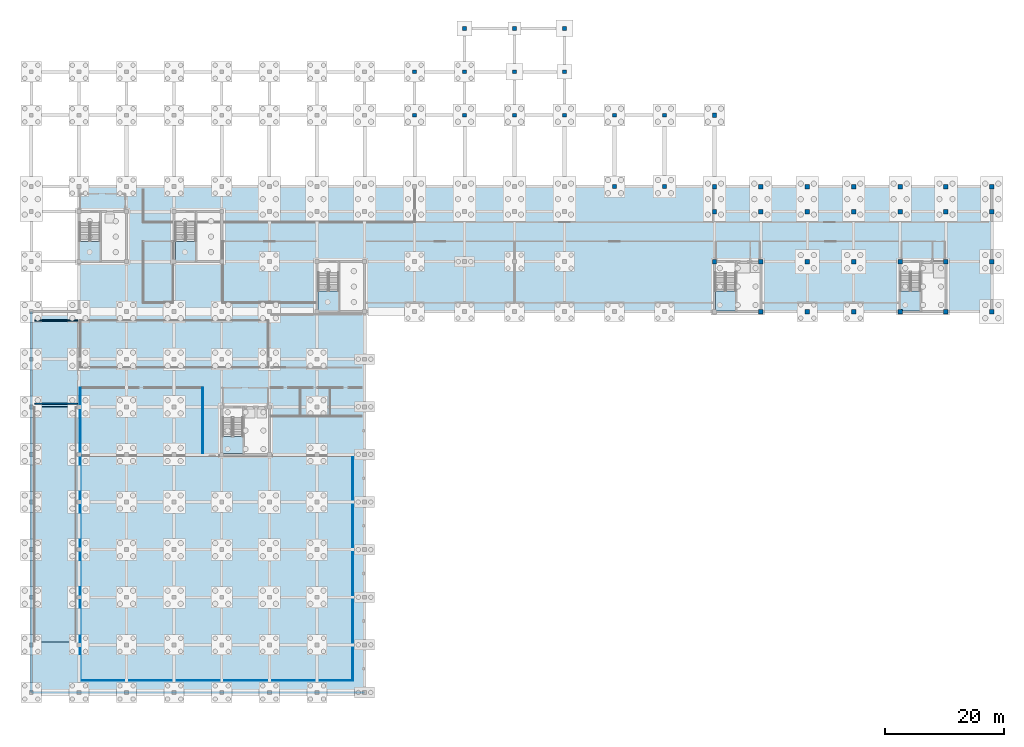
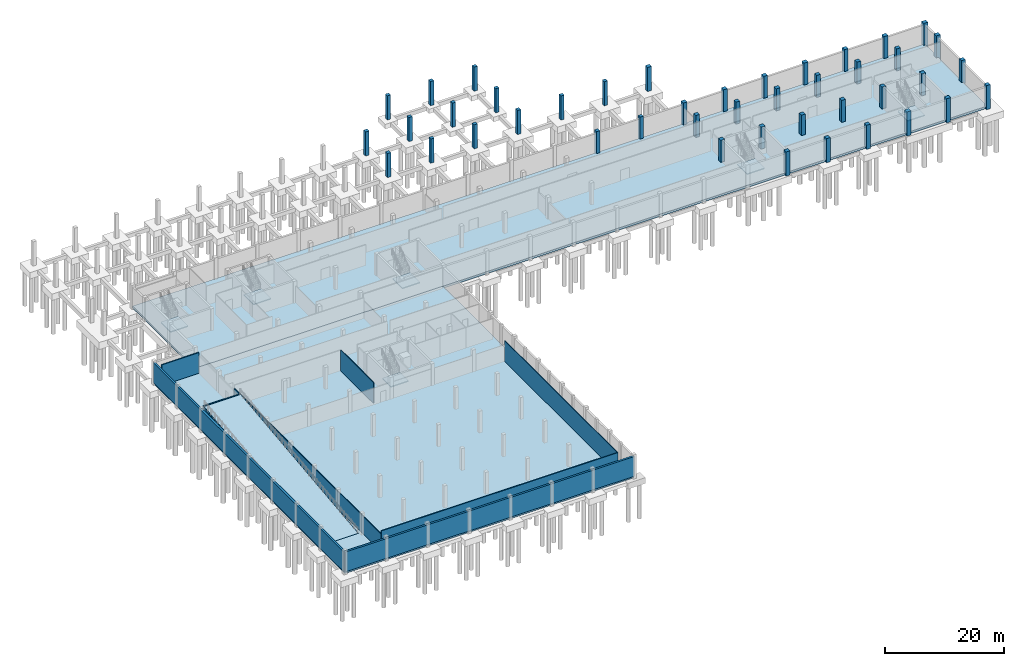
# One storey, part 10 of 22: 43 columns, 9 slabs, 9 walls, 6 elements without a shape of their own.
"""IFC4 building model written with IfcOpenShell, lengths in metres."""

from ifc_helpers import new_model, si_unit, direction, frame, frame_2d, origin, origin_2d, place, context, subcontext, project, spatial, polyline, rectangle, outline, extrude, material, layer, layer_set, material_profile, profile_set, type_object, element, aggregate, save


model = new_model("IFC4")

# Units and contexts
model_context = context("Model", 3, precision=1e-05, world=origin(), true_north=direction((0.0, 1.0)))
body_context = subcontext(model_context, "Body", "Model", "MODEL_VIEW")
ifc_project = project(units=[si_unit("LENGTHUNIT", "METRE"), si_unit("AREAUNIT", "SQUARE_METRE"), si_unit("VOLUMEUNIT", "CUBIC_METRE"), si_unit("PLANEANGLEUNIT", "RADIAN"), si_unit("MASSUNIT", "GRAM", prefix="KILO")], contexts=[model_context])

# Site, building, storey
site_placement = place(None, origin())
site = spatial("IfcSite", under=ifc_project, at=site_placement, CompositionType="ELEMENT")
building_placement = place(site_placement, origin())
building = spatial("IfcBuilding", under=site, at=building_placement, Name="Vharandega Faculty of Natural Sciences", CompositionType="ELEMENT")
storey_placement = place(building_placement, frame((0.0, 0.0, -4.5)))
storey = spatial("IfcBuildingStorey", under=building, at=storey_placement, Name="B01", CompositionType="ELEMENT", Elevation=-4.5)

# Columns
ifc_material_1 = material(Name="Concrete C40/50", Category="concrete")
ifc_material_profile_1 = material_profile(ifc_material_1, rectangle(XDim=0.64990234375, YDim=0.64990234375, at=origin_2d()), Name="RC 650x650")
ifc_profile_set_1 = profile_set([ifc_material_profile_1], Name="Concrete C40/50")
column_type_1 = type_object("IfcColumnType", Name="RC Column 650x650", PredefinedType="COLUMN", material=ifc_profile_set_1)
for number, where, z_axis, x_axis, name in (
    (1, (72.800048828125, 97.0, -0.449951171875), (0.0, 0.0, 1.0), (1.0, 0.0, 0.0), "Column 10/N B01"),
    (2, (72.800048828125, 104.300048828125, -0.449951171875), (0.0, 0.0, 1.0), (1.0, 0.0, 0.0), "Column 10/P B01"),
    (3, (72.800048828125, 111.60009765625, -0.449951171875), (0.0, 0.0, 1.0), (1.0, 0.0, 0.0), "Column 10/Q B01"),
    (4, (81.199951171875, 97.0, -0.449951171875), (0.0, 0.0, 1.0), (1.0, 0.0, 0.0), "Column 11/N B01"),
    (5, (81.199951171875, 104.300048828125, -0.449951171875), (0.0, 0.0, 1.0), (1.0, 0.0, 0.0), "Column 11/P B01"),
    (6, (81.199951171875, 111.60009765625, -0.449951171875), (0.0, 0.0, 1.0), (1.0, 0.0, 0.0), "Column 11/Q B01"),
    (7, (89.60009765625, 97.0, -0.449951171875), (0.0, 0.0, 1.0), (1.0, 0.0, 0.0), "Column 12/N B01"),
    (8, (89.60009765625, 104.300048828125, -0.449951171875), (0.0, 0.0, 1.0), (1.0, 0.0, 0.0), "Column 12/P B01"),
    (9, (89.60009765625, 111.60009765625, -0.449951171875), (0.0, 0.0, 1.0), (1.0, 0.0, 0.0), "Column 12/Q B01"),
    (10, (98.0, 85.0, -0.449951171875), (0.0, 0.0, 1.0), (1.0, 0.0, 0.0), "Column 13/M B01"),
    (11, (98.0, 97.0, -0.449951171875), (0.0, 0.0, 1.0), (1.0, 0.0, 0.0), "Column 13/N B01"),
    (12, (106.39990234375, 85.0, -0.449951171875), (0.0, 0.0, 1.0), (1.0, 0.0, 0.0), "Column 14/M B01"),
    (13, (106.39990234375, 97.0, -0.449951171875), (0.0, 0.0, 1.0), (1.0, 0.0, 0.0), "Column 14/N B01"),
    (14, (64.39990234375, 97.0, -0.449951171875), (0.0, 0.0, 1.0), (1.0, 0.0, 0.0), "Column 9/N B01"),
    (15, (64.39990234375, 104.300048828125, -0.449951171875), (0.0, 0.0, 1.0), (1.0, 0.0, 0.0), "Column 9/P B01"),
):
    element("IfcColumn", number, at=place(storey_placement, frame(where, z_axis=z_axis, x_axis=x_axis)), inside=storey, type_object=column_type_1, Name=name, PredefinedType="COLUMN", context=body_context, shape_type="SweptSolid", body=[
        extrude(rectangle(XDim=0.64990234375, YDim=0.64990234375, at=origin_2d()), origin(), (0.0, 0.0, 1.0), 4.949951171875),
    ])
ifc_material_2 = material(Name="Concrete C40/50", Category="concrete")
ifc_material_profile_2 = material_profile(ifc_material_2, rectangle(XDim=0.75, YDim=0.75, at=origin_2d()), Name="RC 750x750")
ifc_profile_set_2 = profile_set([ifc_material_profile_2], Name="Concrete C40/50")
column_type_2 = type_object("IfcColumnType", Name="RC Column 750x750", PredefinedType="COLUMN", material=ifc_profile_set_2)
for number, where, z_axis, x_axis, name in (
    (16, (114.800048828125, 72.39990234375, -0.449951171875), (0.0, 0.0, 1.0), (1.0, 0.0, 0.0), "Column 15/K B01"),
    (17, (114.800048828125, 80.800048828125, -0.449951171875), (0.0, 0.0, 1.0), (1.0, 0.0, 0.0), "Column 15/L B01"),
    (18, (114.800048828125, 85.0, -0.449951171875), (0.0, 0.0, 1.0), (1.0, 0.0, 0.0), "Column 15/M B01"),
    (19, (114.800048828125, 97.0, -0.449951171875), (0.0, 0.0, 1.0), (1.0, 0.0, 0.0), "Column 15/N B01"),
    (20, (122.60009765625, 64.0, -0.449951171875), (0.0, 0.0, 1.0), (1.0, 0.0, 0.0), "Column 16/J B01"),
    (21, (122.60009765625, 72.39990234375, -0.449951171875), (0.0, 0.0, 1.0), (1.0, 0.0, 0.0), "Column 16/K B01"),
    (22, (122.60009765625, 80.800048828125, -0.449951171875), (0.0, 0.0, 1.0), (1.0, 0.0, 0.0), "Column 16/L B01"),
    (23, (122.60009765625, 85.0, -0.449951171875), (0.0, 0.0, 1.0), (1.0, 0.0, 0.0), "Column 16/M B01"),
    (24, (130.39990234375, 64.0, -0.449951171875), (0.0, 0.0, 1.0), (1.0, 0.0, 0.0), "Column 17/J B01"),
):
    element("IfcColumn", number, at=place(storey_placement, frame(where, z_axis=z_axis, x_axis=x_axis)), inside=storey, type_object=column_type_2, Name=name, PredefinedType="COLUMN", context=body_context, shape_type="SweptSolid", body=[
        extrude(rectangle(XDim=0.75, YDim=0.75, at=origin_2d()), origin(), (0.0, 0.0, 1.0), 4.949951171875),
    ])
column_placement = place(storey_placement, frame((130.39990234375, 72.39990234375, -0.449951171875), z_axis=(0.0, 0.0, 1.0), x_axis=(1.0, 0.0, 0.0)))
element("IfcColumn", 25, at=column_placement, inside=storey, type_object=column_type_2, Name="Column 17/K B01", PredefinedType="COLUMN", context=body_context, shape_type="SweptSolid", body=[
    extrude(rectangle(XDim=0.75, YDim=0.75, at=origin_2d()), origin(), (0.0, 0.0, 1.0), 4.64990234375),
])
for number, where, z_axis, x_axis, name in (
    (26, (130.39990234375, 80.800048828125, -0.449951171875), (0.0, 0.0, 1.0), (1.0, 0.0, 0.0), "Column 17/L B01"),
    (27, (130.39990234375, 85.0, -0.449951171875), (0.0, 0.0, 1.0), (1.0, 0.0, 0.0), "Column 17/M B01"),
    (28, (138.199951171875, 64.0, -0.449951171875), (0.0, 0.0, 1.0), (1.0, 0.0, 0.0), "Column 18/J B01"),
    (29, (138.199951171875, 72.39990234375, -0.449951171875), (0.0, 0.0, 1.0), (1.0, 0.0, 0.0), "Column 18/K B01"),
    (30, (138.199951171875, 80.800048828125, -0.449951171875), (0.0, 0.0, 1.0), (1.0, 0.0, 0.0), "Column 18/L B01"),
    (31, (138.199951171875, 85.0, -0.449951171875), (0.0, 0.0, 1.0), (1.0, 0.0, 0.0), "Column 18/M B01"),
    (32, (146.0, 64.0, -0.449951171875), (0.0, 0.0, 1.0), (1.0, 0.0, 0.0), "Column 19/J B01"),
    (33, (146.0, 72.39990234375, -0.449951171875), (0.0, 0.0, 1.0), (1.0, 0.0, 0.0), "Column 19/K B01"),
    (34, (146.0, 80.800048828125, -0.449951171875), (0.0, 0.0, 1.0), (1.0, 0.0, 0.0), "Column 19/L B01"),
    (35, (146.0, 85.0, -0.449951171875), (0.0, 0.0, 1.0), (1.0, 0.0, 0.0), "Column 19/M B01"),
    (36, (153.699951171875, 64.0, -0.449951171875), (0.0, 0.0, 1.0), (1.0, 0.0, 0.0), "Column 20/J B01"),
    (37, (153.699951171875, 72.39990234375, -0.449951171875), (0.0, 0.0, 1.0), (1.0, 0.0, 0.0), "Column 20/K B01"),
    (38, (153.699951171875, 80.800048828125, -0.449951171875), (0.0, 0.0, 1.0), (1.0, 0.0, 0.0), "Column 20/L B01"),
    (39, (153.699951171875, 85.0, -0.449951171875), (0.0, 0.0, 1.0), (1.0, 0.0, 0.0), "Column 20/M B01"),
    (40, (161.39990234375, 64.0, -0.449951171875), (0.0, 0.0, 1.0), (1.0, 0.0, 0.0), "Column 21/J B01"),
    (41, (161.39990234375, 72.39990234375, -0.449951171875), (0.0, 0.0, 1.0), (1.0, 0.0, 0.0), "Column 21/K B01"),
    (42, (161.39990234375, 80.800048828125, -0.449951171875), (0.0, 0.0, 1.0), (1.0, 0.0, 0.0), "Column 21/L B01"),
    (43, (161.39990234375, 85.0, -0.449951171875), (0.0, 0.0, 1.0), (1.0, 0.0, 0.0), "Column 21/M B01"),
):
    element("IfcColumn", number, at=place(storey_placement, frame(where, z_axis=z_axis, x_axis=x_axis)), inside=storey, type_object=column_type_2, Name=name, PredefinedType="COLUMN", context=body_context, shape_type="SweptSolid", body=[
        extrude(rectangle(XDim=0.75, YDim=0.75, at=origin_2d()), origin(), (0.0, 0.0, 1.0), 4.949951171875),
    ])

# Slabs
ifc_material_3 = material(Name="Concrete C35/45", Category="concrete")
ifc_layer_1 = layer(ifc_material_3, 0.449951171875, Name="Concrete C35/45")
ifc_layer_set_1 = layer_set([ifc_layer_1], Name="Concrete C35/45")
slab_type_1 = type_object("IfcSlabType", Name="SLAB-BASE-450", PredefinedType="BASESLAB", material=ifc_layer_set_1)
slab_1_placement = place(storey_placement, frame((0.0, 0.0, -0.449951171875)))
element("IfcSlab", 44, at=slab_1_placement, inside=storey, type_object=slab_type_1, Name="B01 V5 Floor Slab", PredefinedType="BASESLAB", context=body_context, shape_type="SweptSolid", body=[
    extrude(outline(polyline([(0.0, 0.0), (56.0, 0.0), (56.0, 64.0), (0.0, 64.0), (0.0, 0.0)]), holes=[polyline([(0.449951171875, 8.5), (7.550048828125, 8.5), (7.550048828125, 48.0), (0.449951171875, 48.0), (0.449951171875, 8.5)])]), origin(), (0.0, 0.0, 1.0), 0.449951171875),
])
slab_2_placement = place(storey_placement, frame((0.0, 0.0, -0.449951171875)))
element("IfcSlab", 45, at=slab_2_placement, inside=storey, type_object=slab_type_1, Name="B01 V4 Floor Slab", PredefinedType="BASESLAB", context=body_context, shape_type="SweptSolid", body=[
    extrude(outline(polyline([(8.0, 64.0), (161.39990234375, 64.0), (161.39990234375, 85.0), (8.0, 85.0), (8.0, 64.0)])), origin(), (0.0, 0.0, 1.0), 0.449951171875),
])
ifc_material_4 = material(Name="Concrete C35/45", Category="concrete")
ifc_layer_2 = layer(ifc_material_4, 0.320068359375, Name="Concrete C35/45")
ifc_layer_set_2 = layer_set([ifc_layer_2], Name="Concrete C35/45")
slab_type_2 = type_object("IfcSlabType", Name="SLAB-RAMP-320", PredefinedType="FLOOR", material=ifc_layer_set_2)
slab_3_placement = place(storey_placement, frame((0.449951171875, 8.5, 0.0), z_axis=(0.0, -0.113191877531, 0.993573147212), x_axis=(1.0, 0.0, 0.0)))
element("IfcSlab", 46, at=slab_3_placement, inside=storey, type_object=slab_type_2, Name="Car Park Vehicle Ramp R1", PredefinedType="FLOOR", context=body_context, shape_type="SweptSolid", body=[
    extrude(outline(polyline([(0.0, 0.0), (7.10009765625, 0.0), (7.10009765625, 39.75550276376844), (0.0, 39.75550276376844), (0.0, 0.0)])), origin(), (0.0, 0.0, -1.0), 0.320068359375),
])

# Stair, slab
ifc_material_5 = material(Name="Concrete C40/50", Category="concrete")
stair_type_1 = type_object("IfcStairType", Name="Escape Dog-Leg Stair W165 H450", PredefinedType="HALF_TURN_STAIR", material=ifc_material_5)
stair_1_placement = place(storey_placement, origin())
stair_1 = element("IfcStair", 47, at=stair_1_placement, inside=storey, type_object=stair_type_1, Name="B01 Escape Stair ST1", PredefinedType="HALF_TURN_STAIR")
ifc_material_6 = material(Name="Concrete C40/50", Category="concrete")
ifc_layer_3 = layer(ifc_material_6, 0.199951171875, Name="Concrete C40/50")
ifc_layer_set_3 = layer_set([ifc_layer_3], Name="Concrete C40/50")
slab_type_3 = type_object("IfcSlabType", Name="Stair Half-Landing Slab 200", PredefinedType="LANDING", material=ifc_layer_set_3)
slab_4_placement = place(storey_placement, frame((0.0, 0.0, 2.050048828125)))
slab_4 = element("IfcSlab", 48, at=slab_4_placement, type_object=slab_type_3, Name="ST1 landing 1", PredefinedType="LANDING", context=body_context, shape_type="SweptSolid", body=[
    extrude(outline(polyline([(114.93994140625, 67.419921875), (114.93994140625, 64.139892578125), (118.360107421875, 64.139892578125), (118.360107421875, 67.419921875), (114.93994140625, 67.419921875)])), origin(), (0.0, 0.0, 1.0), 0.199951171875),
])
aggregate(stair_1, [slab_4])

ifc_material_7 = material(Name="Concrete C40/50", Category="concrete")
stair_type_2 = type_object("IfcStairType", Name="Escape Dog-Leg Stair W160 H450", PredefinedType="HALF_TURN_STAIR", material=ifc_material_7)
stair_2_placement = place(storey_placement, origin())
stair_2 = element("IfcStair", 49, at=stair_2_placement, inside=storey, type_object=stair_type_2, Name="B01 Escape Stair ST2", PredefinedType="HALF_TURN_STAIR")
slab_5_placement = place(storey_placement, frame((0.0, 0.0, 2.050048828125)))
slab_5 = element("IfcSlab", 50, at=slab_5_placement, type_object=slab_type_3, Name="ST2 landing 1", PredefinedType="LANDING", context=body_context, shape_type="SweptSolid", body=[
    extrude(outline(polyline([(146.06005859375, 67.469970703125), (146.06005859375, 64.139892578125), (149.3798828125, 64.139892578125), (149.3798828125, 67.469970703125), (146.06005859375, 67.469970703125)])), origin(), (0.0, 0.0, 1.0), 0.199951171875),
])
aggregate(stair_2, [slab_5])

stair_3_placement = place(storey_placement, origin())
stair_3 = element("IfcStair", 51, at=stair_3_placement, inside=storey, type_object=stair_type_1, Name="B01 Escape Stair ST3", PredefinedType="HALF_TURN_STAIR")
slab_6_placement = place(storey_placement, frame((0.0, 0.0, 2.050048828125)))
slab_6 = element("IfcSlab", 52, at=slab_6_placement, type_object=slab_type_3, Name="ST3 landing 1", PredefinedType="LANDING", context=body_context, shape_type="SweptSolid", body=[
    extrude(outline(polyline([(32.139892578125, 43.02001953125), (32.139892578125, 40.139892578125), (35.56005859375, 40.139892578125), (35.56005859375, 43.02001953125), (32.139892578125, 43.02001953125)])), origin(), (0.0, 0.0, 1.0), 0.199951171875),
])
aggregate(stair_3, [slab_6])

stair_4_placement = place(storey_placement, origin())
stair_4 = element("IfcStair", 53, at=stair_4_placement, inside=storey, type_object=stair_type_1, Name="B01 Escape Stair ST4", PredefinedType="HALF_TURN_STAIR")
slab_7_placement = place(storey_placement, frame((0.0, 0.0, 2.050048828125)))
slab_7 = element("IfcSlab", 54, at=slab_7_placement, type_object=slab_type_3, Name="ST4 landing 1", PredefinedType="LANDING", context=body_context, shape_type="SweptSolid", body=[
    extrude(outline(polyline([(8.139892578125, 75.820068359375), (8.139892578125, 72.5400390625), (11.56005859375, 72.5400390625), (11.56005859375, 75.820068359375), (8.139892578125, 75.820068359375)])), origin(), (0.0, 0.0, 1.0), 0.199951171875),
])
aggregate(stair_4, [slab_7])

stair_5_placement = place(storey_placement, origin())
stair_5 = element("IfcStair", 55, at=stair_5_placement, inside=storey, type_object=stair_type_1, Name="B01 Escape Stair ST5", PredefinedType="HALF_TURN_STAIR")
slab_8_placement = place(storey_placement, frame((0.0, 0.0, 2.050048828125)))
slab_8 = element("IfcSlab", 56, at=slab_8_placement, type_object=slab_type_3, Name="ST5 landing 1", PredefinedType="LANDING", context=body_context, shape_type="SweptSolid", body=[
    extrude(outline(polyline([(48.199951171875, 67.419921875), (48.199951171875, 64.139892578125), (51.6201171875, 64.139892578125), (51.6201171875, 67.419921875), (48.199951171875, 67.419921875)])), origin(), (0.0, 0.0, 1.0), 0.199951171875),
])
aggregate(stair_5, [slab_8])

stair_6_placement = place(storey_placement, origin())
stair_6 = element("IfcStair", 57, at=stair_6_placement, inside=storey, type_object=stair_type_1, Name="B01 Escape Stair ST6", PredefinedType="HALF_TURN_STAIR")
slab_9_placement = place(storey_placement, frame((0.0, 0.0, 2.050048828125)))
slab_9 = element("IfcSlab", 58, at=slab_9_placement, type_object=slab_type_3, Name="ST6 landing 1", PredefinedType="LANDING", context=body_context, shape_type="SweptSolid", body=[
    extrude(outline(polyline([(24.199951171875, 75.820068359375), (24.199951171875, 72.5400390625), (27.6201171875, 72.5400390625), (27.6201171875, 75.820068359375), (24.199951171875, 75.820068359375)])), origin(), (0.0, 0.0, 1.0), 0.199951171875),
])
aggregate(stair_6, [slab_9])

# Walls
ifc_material_8 = material(Name="Concrete C35/45", Category="concrete")
ifc_layer_4 = layer(ifc_material_8, 0.3798828125, Name="Concrete C35/45")
ifc_layer_set_4 = layer_set([ifc_layer_4], Name="Concrete C35/45")
wall_type_1 = type_object("IfcWallType", Name="Basement Retaining Wall 380", PredefinedType="USERDEFINED", material=ifc_layer_set_4)
wall_1_placement = place(storey_placement, frame((0.0, 0.0, 0.0), z_axis=(0.0, 0.0, 1.0), x_axis=(0.0, 1.0, 0.0)))
element("IfcWall", 59, at=wall_1_placement, inside=storey, type_object=wall_type_1, Name="Exterior Wall EW-B01-W", ObjectType="RETAINING WALL", PredefinedType="USERDEFINED", context=body_context, shape_type="SweptSolid", body=[
    extrude(rectangle(XDim=64.0, YDim=0.3798828125, at=frame_2d((32.0, 0.0))), origin(), (0.0, 0.0, 1.0), 4.050048828125),
])
wall_2_placement = place(storey_placement, frame((56.0, 0.0, 0.0), z_axis=(0.0, 0.0, 1.0), x_axis=(-1.0, 0.0, 0.0)))
element("IfcWall", 60, at=wall_2_placement, inside=storey, type_object=wall_type_1, Name="Exterior Wall EW-B01-S", ObjectType="RETAINING WALL", PredefinedType="USERDEFINED", context=body_context, shape_type="SweptSolid", body=[
    extrude(rectangle(XDim=56.0, YDim=0.3798828125, at=frame_2d((28.0, 0.0))), origin(), (0.0, 0.0, 1.0), 4.050048828125),
])
ifc_material_9 = material(Name="Concrete C40/50", Category="concrete")
ifc_layer_5 = layer(ifc_material_9, 0.199951171875, Name="Concrete C40/50")
ifc_layer_set_5 = layer_set([ifc_layer_5], Name="Concrete C40/50")
wall_type_2 = type_object("IfcWallType", Name="Firefighting Lobby Wall 200", PredefinedType="PARTITIONING", material=ifc_layer_set_5)
for number, where, z_axis, x_axis, name in (
    (61, (0.60009765625, 48.5, 0.0), (0.0, 0.0, 1.0), (1.0, 0.0, 0.0), "Interior Wall PW-B01-R04S"),
    (62, (0.60009765625, 62.5, 0.0), (0.0, 0.0, 1.0), (1.0, 0.0, 0.0), "Interior Wall PW-B01-R04N"),
):
    element("IfcWall", number, at=place(storey_placement, frame(where, z_axis=z_axis, x_axis=x_axis)), inside=storey, type_object=wall_type_2, Name=name, PredefinedType="PARTITIONING", context=body_context, shape_type="SweptSolid", body=[
        extrude(rectangle(XDim=7.199951171875, YDim=0.199951171875, at=frame_2d((3.60009765625, 0.0))), origin(), (0.0, 0.0, 1.0), 4.239990234375),
    ])
ifc_material_10 = material(Name="Gypsum acoustic partition", Category="gypsum")
ifc_layer_6 = layer(ifc_material_10, 0.139892578125, Name="Gypsum acoustic partition")
ifc_layer_set_6 = layer_set([ifc_layer_6], Name="Gypsum acoustic partition")
wall_type_3 = type_object("IfcWallType", Name="Room Partition Wall 140", PredefinedType="PARTITIONING", material=ifc_layer_set_6)
wall_3_placement = place(storey_placement, frame((8.199951171875, 2.0, 0.0), z_axis=(0.0, 0.0, 1.0), x_axis=(1.0, 0.0, 0.0)))
element("IfcWall", 63, at=wall_3_placement, inside=storey, type_object=wall_type_3, Name="Interior Wall PW-B01-R01S", PredefinedType="PARTITIONING", context=body_context, shape_type="SweptSolid", body=[
    extrude(rectangle(XDim=45.800048828125, YDim=0.139892578125, at=frame_2d((22.89990234375, 0.0))), origin(), (0.0, 0.0, 1.0), 4.239990234375),
])
wall_4_placement = place(storey_placement, frame((8.199951171875, 2.0, 0.0), z_axis=(0.0, 0.0, 1.0), x_axis=(0.0, 1.0, 0.0)))
element("IfcWall", 64, at=wall_4_placement, inside=storey, type_object=wall_type_3, Name="Interior Wall PW-B01-R01W", PredefinedType="PARTITIONING", context=body_context, shape_type="SweptSolid", body=[
    extrude(rectangle(XDim=37.800048828125, YDim=0.139892578125, at=frame_2d((18.89990234375, 0.0))), origin(), (0.0, 0.0, 1.0), 3.60009765625),
])
wall_5_placement = place(storey_placement, frame((54.0, 2.0, 0.0), z_axis=(0.0, 0.0, 1.0), x_axis=(0.0, 1.0, 0.0)))
element("IfcWall", 65, at=wall_5_placement, inside=storey, type_object=wall_type_3, Name="Interior Wall PW-B01-R01E", PredefinedType="PARTITIONING", context=body_context, shape_type="SweptSolid", body=[
    extrude(rectangle(XDim=37.800048828125, YDim=0.139892578125, at=frame_2d((18.89990234375, 0.0))), origin(), (0.0, 0.0, 1.0), 4.239990234375),
])
wall_6_placement = place(storey_placement, frame((8.199951171875, 40.199951171875, 0.0), z_axis=(0.0, 0.0, 1.0), x_axis=(0.0, 1.0, 0.0)))
element("IfcWall", 66, at=wall_6_placement, inside=storey, type_object=wall_type_3, Name="Interior Wall PW-B01-R02W", PredefinedType="PARTITIONING", context=body_context, shape_type="SweptSolid", body=[
    extrude(rectangle(XDim=11.0, YDim=0.139892578125, at=frame_2d((5.5, 0.0))), origin(), (0.0, 0.0, 1.0), 3.60009765625),
])
wall_7_placement = place(storey_placement, frame((28.800048828125, 40.199951171875, 0.0), z_axis=(0.0, 0.0, 1.0), x_axis=(0.0, 1.0, 0.0)))
element("IfcWall", 67, at=wall_7_placement, inside=storey, type_object=wall_type_3, Name="Interior Wall PW-B01-R02E", PredefinedType="PARTITIONING", context=body_context, shape_type="SweptSolid", body=[
    extrude(rectangle(XDim=11.0, YDim=0.139892578125, at=frame_2d((5.5, 0.0))), origin(), (0.0, 0.0, 1.0), 4.239990234375),
])

save(model, "model.ifc")
